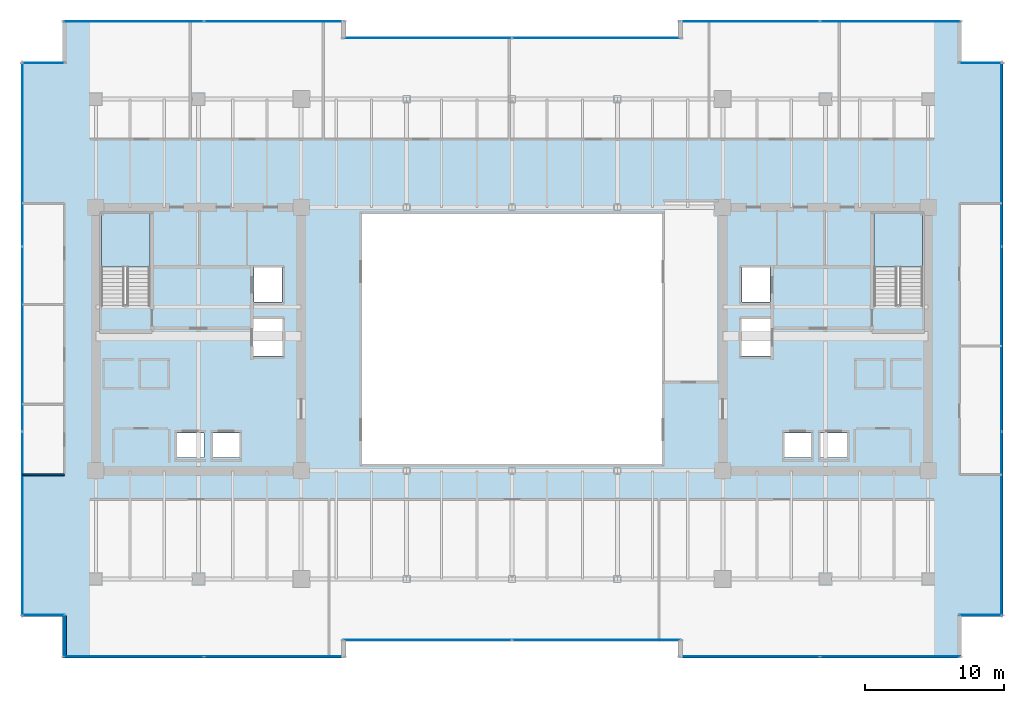
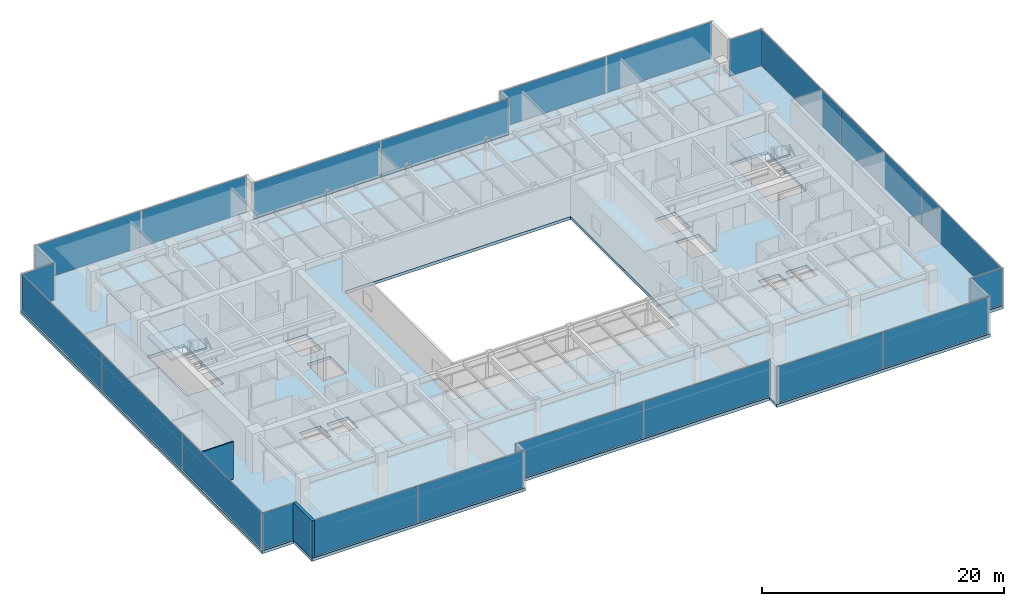
# One storey, part 24 of 33: 22 plates, 3 slabs, 2 walls, 14 elements without a shape of their own.
"""IFC4 building model written with IfcOpenShell, lengths in metres."""

from ifc_helpers import new_model, si_unit, direction, frame, frame_2d, origin, origin_2d, place, context, subcontext, project, spatial, polyline, rectangle, outline, extrude, source, transform, mapped, material, layer, layer_set, type_object, type_shapes, element, aggregate, save


model = new_model("IFC4")

# Units and contexts
model_context = context("Model", 3, precision=1e-05, world=origin(), true_north=direction((0.0, 1.0)))
body_context = subcontext(model_context, "Body", "Model", "MODEL_VIEW")
ifc_project = project(units=[si_unit("LENGTHUNIT", "METRE"), si_unit("AREAUNIT", "SQUARE_METRE"), si_unit("VOLUMEUNIT", "CUBIC_METRE"), si_unit("PLANEANGLEUNIT", "RADIAN"), si_unit("MASSUNIT", "GRAM", prefix="KILO")], contexts=[model_context])

# Site, building, storey
site_placement = place(None, origin())
site = spatial("IfcSite", under=ifc_project, at=site_placement, CompositionType="ELEMENT")
building_placement = place(site_placement, origin())
building = spatial("IfcBuilding", under=site, at=building_placement, Name="Haelvirn Gate Laboratories", CompositionType="ELEMENT")
storey_placement = place(building_placement, frame((0.0, 0.0, 133.800048828125)))
storey = spatial("IfcBuildingStorey", under=building, at=storey_placement, Name="L32", CompositionType="ELEMENT", Elevation=133.800048828125)

# Stair, slab
ifc_material_1 = material(Name="Concrete C40/50", Category="concrete")
stair_type = type_object("IfcStairType", Name="ST-DOG-1650-R22", PredefinedType="HALF_TURN_STAIR", material=ifc_material_1)
stair_1_placement = place(storey_placement, origin())
stair_1 = element("IfcStair", 1, at=stair_1_placement, inside=storey, type_object=stair_type, Name="L32 Escape Stair ST1", PredefinedType="HALF_TURN_STAIR")
ifc_layer_1 = layer(ifc_material_1, 0.199951171875, Name="SL-STAIR-LND")
ifc_layer_set_1 = layer_set([ifc_layer_1], Name="Concrete C40/50")
slab_type_1 = type_object("IfcSlabType", Name="SL-STAIR-LND", PredefinedType="LANDING", material=ifc_layer_set_1)
slab_1_placement = place(storey_placement, frame((0.0, 0.0, 1.849853515625)))
slab_1 = element("IfcSlab", 2, at=slab_1_placement, type_object=slab_type_1, Name="ST1 landing 1", PredefinedType="LANDING", context=body_context, shape_type="SweptSolid", body=[
    extrude(outline(polyline([(11.300048828125, 29.5), (11.300048828125, 33.35009765625), (7.800048828125, 33.35009765625), (7.800048828125, 29.5), (11.300048828125, 29.5)])), origin(), (0.0, 0.0, 1.0), 0.2001953125),
])
aggregate(stair_1, [slab_1])

stair_2_placement = place(storey_placement, origin())
stair_2 = element("IfcStair", 3, at=stair_2_placement, inside=storey, type_object=stair_type, Name="L32 Escape Stair ST2", PredefinedType="HALF_TURN_STAIR")
slab_2_placement = place(storey_placement, frame((0.0, 0.0, 1.849853515625)))
slab_2 = element("IfcSlab", 4, at=slab_2_placement, type_object=slab_type_1, Name="ST2 landing 1", PredefinedType="LANDING", context=body_context, shape_type="SweptSolid", body=[
    extrude(outline(polyline([(67.0, 29.5), (67.0, 33.35009765625), (63.5, 33.35009765625), (63.5, 29.5), (67.0, 29.5)])), origin(), (0.0, 0.0, 1.0), 0.2001953125),
])
aggregate(stair_2, [slab_2])

# Slab
ifc_layer_2 = layer(ifc_material_1, 0.31005859375, Name="SL-Z2-310")
ifc_layer_set_2 = layer_set([ifc_layer_2], Name="Concrete C40/50")
slab_type_2 = type_object("IfcSlabType", Name="SL-Z2-310", PredefinedType="FLOOR", material=ifc_layer_set_2)
slab_3_placement = place(storey_placement, frame((0.0, 0.0, -0.31005859375)))
element("IfcSlab", 5, at=slab_3_placement, inside=storey, type_object=slab_type_2, Name="L32 Structural Slab MAIN", PredefinedType="FLOOR", context=body_context, shape_type="SweptSolid", body=[
    extrude(outline(polyline([(5.0, 1.300048828125), (25.39990234375, 1.300048828125), (25.39990234375, 2.5), (49.39990234375, 2.5), (49.39990234375, 1.300048828125), (69.800048828125, 1.300048828125), (69.800048828125, 4.300048828125), (72.800048828125, 4.300048828125), (72.800048828125, 44.300048828125), (69.800048828125, 44.300048828125), (69.800048828125, 47.300048828125), (49.39990234375, 47.300048828125), (49.39990234375, 46.10009765625), (25.39990234375, 46.10009765625), (25.39990234375, 47.300048828125), (5.0, 47.300048828125), (5.0, 44.300048828125), (2.0, 44.300048828125), (2.0, 4.300048828125), (5.0, 4.300048828125), (5.0, 1.300048828125)]), holes=[polyline([(26.60009765625, 15.300048828125), (48.199951171875, 15.300048828125), (48.199951171875, 33.300048828125), (26.60009765625, 33.300048828125), (26.60009765625, 15.300048828125)]), polyline([(11.300048828125, 26.780029296875), (11.300048828125, 33.35009765625), (7.800048828125, 33.35009765625), (7.800048828125, 26.780029296875), (11.300048828125, 26.780029296875)]), polyline([(67.0, 26.780029296875), (67.0, 33.35009765625), (63.5, 33.35009765625), (63.5, 26.780029296875), (67.0, 26.780029296875)]), polyline([(13.18994140625, 15.77001953125), (15.2099609375, 15.77001953125), (15.2099609375, 17.510009765625), (13.18994140625, 17.510009765625), (13.18994140625, 15.77001953125)]), polyline([(15.7900390625, 15.77001953125), (17.81005859375, 15.77001953125), (17.81005859375, 17.510009765625), (15.7900390625, 17.510009765625), (15.7900390625, 15.77001953125)]), polyline([(18.7900390625, 26.969970703125), (20.81005859375, 26.969970703125), (20.81005859375, 29.510009765625), (18.7900390625, 29.510009765625), (18.7900390625, 26.969970703125)]), polyline([(18.68994140625, 23.070068359375), (20.909912109375, 23.070068359375), (20.909912109375, 25.81005859375), (18.68994140625, 25.81005859375), (18.68994140625, 23.070068359375)]), polyline([(59.590087890625, 15.77001953125), (61.610107421875, 15.77001953125), (61.610107421875, 17.510009765625), (59.590087890625, 17.510009765625), (59.590087890625, 15.77001953125)]), polyline([(56.989990234375, 15.77001953125), (59.010009765625, 15.77001953125), (59.010009765625, 17.510009765625), (56.989990234375, 17.510009765625), (56.989990234375, 15.77001953125)]), polyline([(53.989990234375, 26.969970703125), (56.010009765625, 26.969970703125), (56.010009765625, 29.510009765625), (53.989990234375, 29.510009765625), (53.989990234375, 26.969970703125)]), polyline([(53.889892578125, 23.070068359375), (56.110107421875, 23.070068359375), (56.110107421875, 25.81005859375), (53.889892578125, 25.81005859375), (53.889892578125, 23.070068359375)])]), origin(), (0.0, 0.0, 1.0), 0.31005859375),
])

# Curtain wall, plates
ifc_material_2 = material(Name="Anodised bronze unitised aluminium & triple low-E glass", Category="aluminium")
ifc_layer_3 = layer(ifc_material_2, 0.179931640625, Name="CW-SYS-3")
ifc_layer_set_3 = layer_set([ifc_layer_3], Name="Anodised bronze unitised aluminium & triple low-E glass")
curtain_wall_type_1 = type_object("IfcCurtainWallType", Name="CW-SYS-3", PredefinedType="NOTDEFINED", material=ifc_layer_set_3)
curtain_wall_1_placement = place(storey_placement, origin())
curtain_wall_1 = element("IfcCurtainWall", 6, at=curtain_wall_1_placement, inside=storey, type_object=curtain_wall_type_1, Name="L32 Unitised Curtain Wall CW-L32-P0-E00-1", PredefinedType="NOTDEFINED")
ifc_material_3 = material(Name="High-selectivity bronze triple IGU 40 mm", Category="glass")
ifc_layer_4 = layer(ifc_material_3, 0.0400390625, Name="CWP-IGU-40")
ifc_layer_set_4 = layer_set([ifc_layer_4], Name="High-selectivity bronze triple IGU 40 mm")
plate_type_1 = type_object("IfcPlateType", Name="CWP-IGU-40", PredefinedType="CURTAIN_PANEL", material=ifc_layer_set_4)
shared_shape_1 = source(origin(), body_context, "Body", "SweptSolid", [
    extrude(rectangle(XDim=10.08740234375, YDim=0.0400390625, at=origin_2d()), origin(), (0.0, 0.0, 1.0), 3.659912109375),
])
plate_1_placement = place(storey_placement, frame((10.11865234375, 1.39990234375, 0.06494140625), z_axis=(0.0, 0.0, 1.0), x_axis=(1.0, 0.0, 0.0)))
plate_1 = element("IfcPlate", 7, at=plate_1_placement, type_object=plate_type_1, Name="CW3 panel 1.1", PredefinedType="CURTAIN_PANEL", context=body_context, shape_type="MappedRepresentation", body=[
    mapped(shared_shape_1, transform((0.0, 0.0, 0.0), scale=1.0)),
])
plate_2_placement = place(storey_placement, frame((20.28125, 1.39990234375, 0.06494140625), z_axis=(0.0, 0.0, 1.0), x_axis=(1.0, 0.0, 0.0)))
plate_2 = element("IfcPlate", 8, at=plate_2_placement, type_object=plate_type_1, Name="CW3 panel 2.1", PredefinedType="CURTAIN_PANEL", context=body_context, shape_type="MappedRepresentation", body=[
    mapped(shared_shape_1, transform((0.0, 0.0, 0.0), scale=1.0)),
])
aggregate(curtain_wall_1, [plate_1, plate_2])

curtain_wall_2_placement = place(storey_placement, origin())
curtain_wall_2 = element("IfcCurtainWall", 9, at=curtain_wall_2_placement, inside=storey, type_object=curtain_wall_type_1, Name="L32 Unitised Curtain Wall CW-L32-P0-E04-1", PredefinedType="NOTDEFINED")
plate_3_placement = place(storey_placement, frame((54.518798828125, 1.39990234375, 0.06494140625), z_axis=(0.0, 0.0, 1.0), x_axis=(1.0, 0.0, 0.0)))
plate_3 = element("IfcPlate", 10, at=plate_3_placement, type_object=plate_type_1, Name="CW3 panel 1.1", PredefinedType="CURTAIN_PANEL", context=body_context, shape_type="MappedRepresentation", body=[
    mapped(shared_shape_1, transform((0.0, 0.0, 0.0), scale=1.0)),
])
plate_4_placement = place(storey_placement, frame((64.68115234375, 1.39990234375, 0.06494140625), z_axis=(0.0, 0.0, 1.0), x_axis=(1.0, 0.0, 0.0)))
plate_4 = element("IfcPlate", 11, at=plate_4_placement, type_object=plate_type_1, Name="CW3 panel 2.1", PredefinedType="CURTAIN_PANEL", context=body_context, shape_type="MappedRepresentation", body=[
    mapped(shared_shape_1, transform((0.0, 0.0, 0.0), scale=1.0)),
])
aggregate(curtain_wall_2, [plate_3, plate_4])

curtain_wall_3_placement = place(storey_placement, origin())
curtain_wall_3 = element("IfcCurtainWall", 12, at=curtain_wall_3_placement, inside=storey, type_object=curtain_wall_type_1, Name="L32 Unitised Curtain Wall CW-L32-P0-E10-1", PredefinedType="NOTDEFINED")
plate_5_placement = place(storey_placement, frame((54.518798828125, 47.199951171875, 0.06494140625), z_axis=(0.0, 0.0, 1.0), x_axis=(1.0, 0.0, 0.0)))
plate_5 = element("IfcPlate", 13, at=plate_5_placement, type_object=plate_type_1, Name="CW3 panel 1.1", PredefinedType="CURTAIN_PANEL", context=body_context, shape_type="MappedRepresentation", body=[
    mapped(shared_shape_1, transform((0.0, 0.0, 0.0), scale=1.0)),
])
plate_6_placement = place(storey_placement, frame((64.68115234375, 47.199951171875, 0.06494140625), z_axis=(0.0, 0.0, 1.0), x_axis=(1.0, 0.0, 0.0)))
plate_6 = element("IfcPlate", 14, at=plate_6_placement, type_object=plate_type_1, Name="CW3 panel 2.1", PredefinedType="CURTAIN_PANEL", context=body_context, shape_type="MappedRepresentation", body=[
    mapped(shared_shape_1, transform((0.0, 0.0, 0.0), scale=1.0)),
])
aggregate(curtain_wall_3, [plate_5, plate_6])

curtain_wall_4_placement = place(storey_placement, origin())
curtain_wall_4 = element("IfcCurtainWall", 15, at=curtain_wall_4_placement, inside=storey, type_object=curtain_wall_type_1, Name="L32 Unitised Curtain Wall CW-L32-P0-E14-1", PredefinedType="NOTDEFINED")
plate_7_placement = place(storey_placement, frame((10.11865234375, 47.199951171875, 0.06494140625), z_axis=(0.0, 0.0, 1.0), x_axis=(1.0, 0.0, 0.0)))
plate_7 = element("IfcPlate", 16, at=plate_7_placement, type_object=plate_type_1, Name="CW3 panel 1.1", PredefinedType="CURTAIN_PANEL", context=body_context, shape_type="MappedRepresentation", body=[
    mapped(shared_shape_1, transform((0.0, 0.0, 0.0), scale=1.0)),
])
plate_8_placement = place(storey_placement, frame((20.28125, 47.199951171875, 0.06494140625), z_axis=(0.0, 0.0, 1.0), x_axis=(1.0, 0.0, 0.0)))
plate_8 = element("IfcPlate", 17, at=plate_8_placement, type_object=plate_type_1, Name="CW3 panel 2.1", PredefinedType="CURTAIN_PANEL", context=body_context, shape_type="MappedRepresentation", body=[
    mapped(shared_shape_1, transform((0.0, 0.0, 0.0), scale=1.0)),
])
aggregate(curtain_wall_4, [plate_7, plate_8])

curtain_wall_5_placement = place(storey_placement, origin())
curtain_wall_5 = element("IfcCurtainWall", 18, at=curtain_wall_5_placement, inside=storey, type_object=curtain_wall_type_1, Name="L32 Unitised Curtain Wall CW-L32-P0-E02-1", PredefinedType="NOTDEFINED")
shared_shape_2 = source(origin(), body_context, "Body", "SweptSolid", [
    extrude(rectangle(XDim=12.12744140625, YDim=0.0400390625, at=origin_2d()), origin(), (0.0, 0.0, 1.0), 3.659912109375),
])
plate_9_placement = place(storey_placement, frame((31.298828125, 2.60009765625, 0.06494140625), z_axis=(0.0, 0.0, 1.0), x_axis=(1.0, 0.0, 0.0)))
plate_9 = element("IfcPlate", 19, at=plate_9_placement, type_object=plate_type_1, Name="CW3 panel 1.1", PredefinedType="CURTAIN_PANEL", context=body_context, shape_type="MappedRepresentation", body=[
    mapped(shared_shape_2, transform((0.0, 0.0, 0.0), scale=1.0)),
])
plate_10_placement = place(storey_placement, frame((43.501220703125, 2.60009765625, 0.06494140625), z_axis=(0.0, 0.0, 1.0), x_axis=(1.0, 0.0, 0.0)))
plate_10 = element("IfcPlate", 20, at=plate_10_placement, type_object=plate_type_1, Name="CW3 panel 2.1", PredefinedType="CURTAIN_PANEL", context=body_context, shape_type="MappedRepresentation", body=[
    mapped(shared_shape_2, transform((0.0, 0.0, 0.0), scale=1.0)),
])
aggregate(curtain_wall_5, [plate_9, plate_10])

curtain_wall_6_placement = place(storey_placement, origin())
curtain_wall_6 = element("IfcCurtainWall", 21, at=curtain_wall_6_placement, inside=storey, type_object=curtain_wall_type_1, Name="L32 Unitised Curtain Wall CW-L32-P0-E12-1", PredefinedType="NOTDEFINED")
plate_11_placement = place(storey_placement, frame((31.298828125, 46.0, 0.06494140625), z_axis=(0.0, 0.0, 1.0), x_axis=(1.0, 0.0, 0.0)))
plate_11 = element("IfcPlate", 22, at=plate_11_placement, type_object=plate_type_1, Name="CW3 panel 1.1", PredefinedType="CURTAIN_PANEL", context=body_context, shape_type="MappedRepresentation", body=[
    mapped(shared_shape_2, transform((0.0, 0.0, 0.0), scale=1.0)),
])
plate_12_placement = place(storey_placement, frame((43.501220703125, 46.0, 0.06494140625), z_axis=(0.0, 0.0, 1.0), x_axis=(1.0, 0.0, 0.0)))
plate_12 = element("IfcPlate", 23, at=plate_12_placement, type_object=plate_type_1, Name="CW3 panel 2.1", PredefinedType="CURTAIN_PANEL", context=body_context, shape_type="MappedRepresentation", body=[
    mapped(shared_shape_2, transform((0.0, 0.0, 0.0), scale=1.0)),
])
aggregate(curtain_wall_6, [plate_11, plate_12])

# Curtain wall, plate
ifc_layer_5 = layer(ifc_material_2, 0.181884765625, Name="CW-SYS-5")
ifc_layer_set_5 = layer_set([ifc_layer_5], Name="Anodised bronze unitised aluminium & triple low-E glass")
curtain_wall_type_2 = type_object("IfcCurtainWallType", Name="CW-SYS-5", PredefinedType="NOTDEFINED", material=ifc_layer_set_5)
curtain_wall_7_placement = place(storey_placement, origin())
curtain_wall_7 = element("IfcCurtainWall", 24, at=curtain_wall_7_placement, inside=storey, type_object=curtain_wall_type_2, Name="L32 Unitised Curtain Wall CW-L32-P0-E06-1", PredefinedType="NOTDEFINED")
ifc_material_4 = material(Name="Clear low-iron notched-corner triple IGU 42 mm", Category="glass")
ifc_layer_6 = layer(ifc_material_4, 0.0419921875, Name="CWP-NTC-42")
ifc_layer_set_6 = layer_set([ifc_layer_6], Name="Clear low-iron notched-corner triple IGU 42 mm")
plate_type_2 = type_object("IfcPlateType", Name="CWP-NTC-42", PredefinedType="CURTAIN_PANEL", material=ifc_layer_set_6)
shared_shape_3 = source(origin(), body_context, "Body", "SweptSolid", [
    extrude(rectangle(XDim=3.080078125, YDim=0.0419921875, at=origin_2d()), origin(), (0.0, 0.0, 1.0), 3.659912109375),
])
type_shapes(plate_type_2, [shared_shape_3])
plate_13_placement = place(storey_placement, frame((71.179931640625, 4.39990234375, 0.06494140625), z_axis=(0.0, 0.0, 1.0), x_axis=(1.0, 0.0, 0.0)))
plate_13 = element("IfcPlate", 25, at=plate_13_placement, type_object=plate_type_2, Name="CW5 panel 1.1", PredefinedType="CURTAIN_PANEL", context=body_context, shape_type="MappedRepresentation", body=[
    mapped(shared_shape_3, transform((0.0, 0.0, 0.0), scale=1.0)),
])
aggregate(curtain_wall_7, [plate_13])

curtain_wall_8_placement = place(storey_placement, origin())
curtain_wall_8 = element("IfcCurtainWall", 26, at=curtain_wall_8_placement, inside=storey, type_object=curtain_wall_type_2, Name="L32 Unitised Curtain Wall CW-L32-P0-E08-1", PredefinedType="NOTDEFINED")
plate_14_placement = place(storey_placement, frame((71.179931640625, 44.199951171875, 0.06494140625), z_axis=(0.0, 0.0, 1.0), x_axis=(1.0, 0.0, 0.0)))
plate_14 = element("IfcPlate", 27, at=plate_14_placement, type_object=plate_type_2, Name="CW5 panel 1.1", PredefinedType="CURTAIN_PANEL", context=body_context, shape_type="MappedRepresentation", body=[
    mapped(shared_shape_3, transform((0.0, 0.0, 0.0), scale=1.0)),
])
aggregate(curtain_wall_8, [plate_14])

curtain_wall_9_placement = place(storey_placement, origin())
curtain_wall_9 = element("IfcCurtainWall", 28, at=curtain_wall_9_placement, inside=storey, type_object=curtain_wall_type_2, Name="L32 Unitised Curtain Wall CW-L32-P0-E16-1", PredefinedType="NOTDEFINED")
plate_15_placement = place(storey_placement, frame((3.6201171875, 44.199951171875, 0.06494140625), z_axis=(0.0, 0.0, 1.0), x_axis=(1.0, 0.0, 0.0)))
plate_15 = element("IfcPlate", 29, at=plate_15_placement, type_object=plate_type_2, Name="CW5 panel 1.1", PredefinedType="CURTAIN_PANEL", context=body_context, shape_type="MappedRepresentation", body=[
    mapped(shared_shape_3, transform((0.0, 0.0, 0.0), scale=1.0)),
])
aggregate(curtain_wall_9, [plate_15])

curtain_wall_10_placement = place(storey_placement, origin())
curtain_wall_10 = element("IfcCurtainWall", 30, at=curtain_wall_10_placement, inside=storey, type_object=curtain_wall_type_2, Name="L32 Unitised Curtain Wall CW-L32-P0-E18-1", PredefinedType="NOTDEFINED")
plate_16_placement = place(storey_placement, frame((3.6201171875, 4.39990234375, 0.06494140625), z_axis=(0.0, 0.0, 1.0), x_axis=(1.0, 0.0, 0.0)))
plate_16 = element("IfcPlate", 31, at=plate_16_placement, type_object=plate_type_2, Name="CW5 panel 1.1", PredefinedType="CURTAIN_PANEL", context=body_context, shape_type="MappedRepresentation", body=[
    mapped(shared_shape_3, transform((0.0, 0.0, 0.0), scale=1.0)),
])
aggregate(curtain_wall_10, [plate_16])

# Curtain wall, plates
curtain_wall_11_placement = place(storey_placement, origin())
curtain_wall_11 = element("IfcCurtainWall", 32, at=curtain_wall_11_placement, inside=storey, type_object=curtain_wall_type_1, Name="L32 Unitised Curtain Wall CW-L32-P0-E07", PredefinedType="NOTDEFINED")
shared_shape_4 = source(origin(), body_context, "Body", "SweptSolid", [
    extrude(rectangle(XDim=13.220947265625, YDim=0.0400390625, at=origin_2d()), origin(), (0.0, 0.0, 1.0), 3.659912109375),
])
plate_17_placement = place(storey_placement, frame((72.699951171875, 10.9853515625, 0.06494140625), z_axis=(0.0, 0.0, 1.0), x_axis=(0.0, 1.0, 0.0)))
plate_17 = element("IfcPlate", 33, at=plate_17_placement, type_object=plate_type_1, Name="CW3 panel 1.1", PredefinedType="CURTAIN_PANEL", context=body_context, shape_type="MappedRepresentation", body=[
    mapped(shared_shape_4, transform((0.0, 0.0, 0.0), scale=1.0)),
])
plate_18_placement = place(storey_placement, frame((72.699951171875, 37.614501953125, 0.06494140625), z_axis=(0.0, 0.0, 1.0), x_axis=(0.0, 1.0, 0.0)))
plate_18 = element("IfcPlate", 34, at=plate_18_placement, type_object=plate_type_1, Name="CW3 panel 3.1", PredefinedType="CURTAIN_PANEL", context=body_context, shape_type="MappedRepresentation", body=[
    mapped(shared_shape_4, transform((0.0, 0.0, 0.0), scale=1.0)),
])

curtain_wall_12_placement = place(storey_placement, origin())
curtain_wall_12 = element("IfcCurtainWall", 35, at=curtain_wall_12_placement, inside=storey, type_object=curtain_wall_type_1, Name="L32 Unitised Curtain Wall CW-L32-P0-E17", PredefinedType="NOTDEFINED")
plate_19_placement = place(storey_placement, frame((2.10009765625, 37.614501953125, 0.06494140625), z_axis=(0.0, 0.0, 1.0), x_axis=(0.0, -1.0, 0.0)))
plate_19 = element("IfcPlate", 36, at=plate_19_placement, type_object=plate_type_1, Name="CW3 panel 1.1", PredefinedType="CURTAIN_PANEL", context=body_context, shape_type="MappedRepresentation", body=[
    mapped(shared_shape_4, transform((0.0, 0.0, 0.0), scale=1.0)),
])
plate_20_placement = place(storey_placement, frame((2.10009765625, 10.9853515625, 0.06494140625), z_axis=(0.0, 0.0, 1.0), x_axis=(0.0, -1.0, 0.0)))
plate_20 = element("IfcPlate", 37, at=plate_20_placement, type_object=plate_type_1, Name="CW3 panel 3.1", PredefinedType="CURTAIN_PANEL", context=body_context, shape_type="MappedRepresentation", body=[
    mapped(shared_shape_4, transform((0.0, 0.0, 0.0), scale=1.0)),
])

# Plate
shared_shape_5 = source(origin(), body_context, "Body", "SweptSolid", [
    extrude(rectangle(XDim=13.25830078125, YDim=0.0400390625, at=origin_2d()), origin(), (0.0, 0.0, 1.0), 3.659912109375),
])
type_shapes(plate_type_1, [shared_shape_1, shared_shape_2, shared_shape_4, shared_shape_5])
plate_21_placement = place(storey_placement, frame((72.699951171875, 24.300048828125, 0.06494140625), z_axis=(0.0, 0.0, 1.0), x_axis=(0.0, 1.0, 0.0)))
plate_21 = element("IfcPlate", 38, at=plate_21_placement, type_object=plate_type_1, Name="CW3 panel 2.1", PredefinedType="CURTAIN_PANEL", context=body_context, shape_type="MappedRepresentation", body=[
    mapped(shared_shape_5, transform((0.0, 0.0, 0.0), scale=1.0)),
])

aggregate(curtain_wall_11, [plate_17, plate_21, plate_18])

plate_22_placement = place(storey_placement, frame((2.10009765625, 24.300048828125, 0.06494140625), z_axis=(0.0, 0.0, 1.0), x_axis=(0.0, -1.0, 0.0)))
plate_22 = element("IfcPlate", 39, at=plate_22_placement, type_object=plate_type_1, Name="CW3 panel 2.1", PredefinedType="CURTAIN_PANEL", context=body_context, shape_type="MappedRepresentation", body=[
    mapped(shared_shape_5, transform((0.0, 0.0, 0.0), scale=1.0)),
])

aggregate(curtain_wall_12, [plate_19, plate_22, plate_20])

# Walls
ifc_material_5 = material(Name="Thermally-broken bronze aluminium rainscreen & mineral wool", Category="aluminium")
ifc_layer_7 = layer(ifc_material_5, 0.280029296875, Name="EW-TERR-280")
ifc_layer_set_7 = layer_set([ifc_layer_7], Name="Thermally-broken bronze aluminium rainscreen & mineral wool")
wall_type_1 = type_object("IfcWallType", Name="EW-TERR-280", PredefinedType="STANDARD", material=ifc_layer_set_7)
wall_1_placement = place(storey_placement, frame((5.139892578125, 4.387939453125, 0.0), z_axis=(0.0, 0.0, 1.0), x_axis=(0.0, -1.0, 0.0)))
element("IfcWall", 40, at=wall_1_placement, inside=storey, type_object=wall_type_1, Name="L32 Atrium Recess Bronze Return Wall 19", PredefinedType="STANDARD", context=body_context, shape_type="SweptSolid", body=[
    extrude(rectangle(XDim=3.087890625, YDim=0.280029296875, at=frame_2d((1.5439453125, 0.0))), origin(), (0.0, 0.0, 1.0), 3.7900390625),
])
ifc_material_6 = material(Name="Lightweight acoustic gypsum board partition", Category="gypsum")
ifc_layer_8 = layer(ifc_material_6, 0.1201171875, Name="IW-PART-120")
ifc_layer_set_8 = layer_set([ifc_layer_8], Name="Lightweight acoustic gypsum board partition")
wall_type_2 = type_object("IfcWallType", Name="IW-PART-120", PredefinedType="PARTITIONING", material=ifc_layer_set_8)
wall_2_placement = place(storey_placement, frame((2.110107421875, 14.514892578125, 0.0), z_axis=(0.0, 0.0, 1.0), x_axis=(1.0, 0.0, 0.0)))
element("IfcWall", 41, at=wall_2_placement, inside=storey, type_object=wall_type_2, Name="L32 Interior Wall IW-L32-WCAP-S", PredefinedType="PARTITIONING", context=body_context, shape_type="SweptSolid", body=[
    extrude(rectangle(XDim=3.019775390625, YDim=0.1201171875, at=frame_2d((1.509765625, 0.0))), origin(), (0.0, 0.0, 1.0), 3.7900390625),
])

save(model, "model.ifc")
